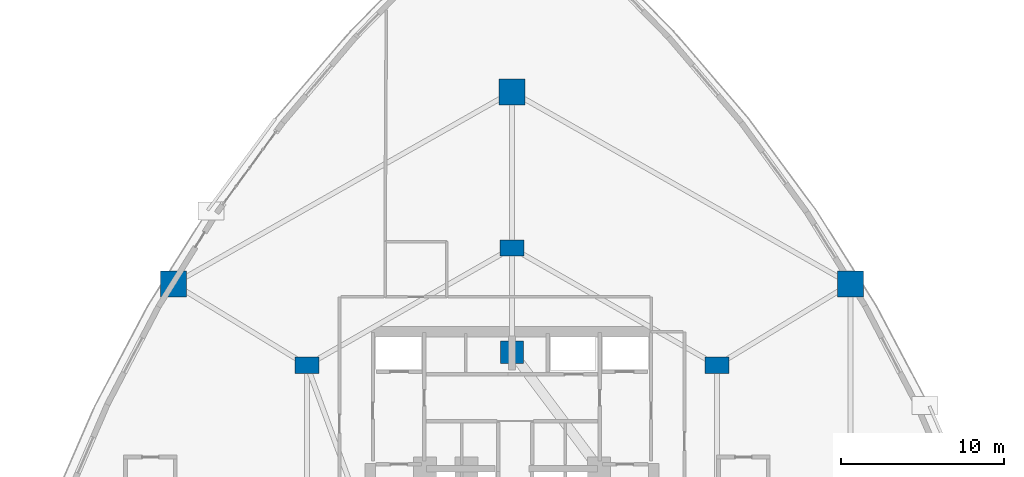
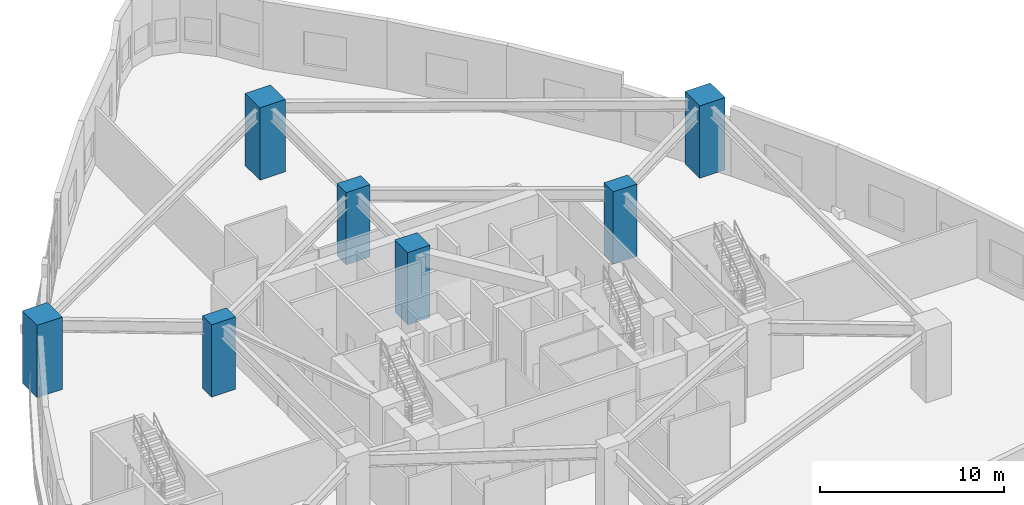
# One storey, part 3 of 23: 7 columns.
"""IFC4 building model written with IfcOpenShell, lengths in metres."""

from ifc_helpers import new_model, si_unit, direction, frame, origin, origin_2d, place, context, subcontext, project, spatial, rectangle, extrude, material, material_profile, profile_set, type_object, element, save


model = new_model("IFC4")

# Units and contexts
model_context = context("Model", 3, precision=1e-05, world=origin(), true_north=direction((0.0, 1.0)))
body_context = subcontext(model_context, "Body", "Model", "MODEL_VIEW")
ifc_project = project(units=[si_unit("LENGTHUNIT", "METRE"), si_unit("AREAUNIT", "SQUARE_METRE"), si_unit("VOLUMEUNIT", "CUBIC_METRE"), si_unit("PLANEANGLEUNIT", "RADIAN"), si_unit("MASSUNIT", "GRAM", prefix="KILO")], contexts=[model_context])

# Site, building, storey
site_placement = place(None, origin())
site = spatial("IfcSite", under=ifc_project, at=site_placement, CompositionType="ELEMENT")
building_placement = place(site_placement, origin())
building = spatial("IfcBuilding", under=site, at=building_placement, Name="Miruveldt Soraemaru", CompositionType="ELEMENT")
storey_placement = place(building_placement, frame((0.0, 0.0, 14.39990234375)))
storey = spatial("IfcBuildingStorey", under=building, at=storey_placement, Name="L04", CompositionType="ELEMENT", Elevation=14.39990234375)

# Columns
ifc_material = material(Name="Concrete C80/95 (80 MPa)", Category="concrete")
ifc_material_profile_1 = material_profile(ifc_material, rectangle(XDim=1.39990234375, YDim=1.39990234375, at=origin_2d()), Name="Concrete C80/95 (80 MPa)", Category="concrete")
ifc_profile_set_1 = profile_set([ifc_material_profile_1], Name="Concrete C80/95 (80 MPa)")
column_type_1 = type_object("IfcColumnType", Name="COL-MEGA-1400", PredefinedType="COLUMN", material=ifc_profile_set_1)
column_placement = place(storey_placement, frame((44.0, 51.199951171875, 0.0), z_axis=(0.0, 0.0, 1.0), x_axis=(1.0, 0.0, 0.0)))
element("IfcColumn", 1, at=column_placement, inside=storey, type_object=column_type_1, Name="L04 Structural Column CC6", PredefinedType="COLUMN", context=body_context, shape_type="SweptSolid", body=[
    extrude(rectangle(XDim=1.39990234375, YDim=1.39990234375, at=origin_2d()), origin(), (0.0, 0.0, 1.0), 4.800048828125),
])
ifc_material_profile_2 = material_profile(ifc_material, rectangle(XDim=1.60009765625, YDim=1.60009765625, at=origin_2d()), Name="Concrete C80/95 (80 MPa)", Category="concrete")
ifc_profile_set_2 = profile_set([ifc_material_profile_2], Name="Concrete C80/95 (80 MPa)")
column_type_2 = type_object("IfcColumnType", Name="COL-MEGA-1600", PredefinedType="COLUMN", material=ifc_profile_set_2)
for number, where, z_axis, x_axis, name in (
    (2, (44.0, 67.199951171875, 0.0), (0.0, 0.0, 1.0), (1.0, 0.0, 0.0), "L04 Structural Column PM01"),
    (3, (64.800048828125, 55.39990234375, 0.0), (0.0, 0.0, 1.0), (1.0, 0.0, 0.0), "L04 Structural Column PM02"),
    (4, (23.199951171875, 55.39990234375, 0.0), (0.0, 0.0, 1.0), (1.0, 0.0, 0.0), "L04 Structural Column PM06"),
):
    element("IfcColumn", number, at=place(storey_placement, frame(where, z_axis=z_axis, x_axis=x_axis)), inside=storey, type_object=column_type_2, Name=name, PredefinedType="COLUMN", context=body_context, shape_type="SweptSolid", body=[
        extrude(rectangle(XDim=1.60009765625, YDim=1.60009765625, at=origin_2d()), origin(), (0.0, 0.0, 1.0), 4.800048828125),
    ])
ifc_material_profile_3 = material_profile(ifc_material, rectangle(XDim=1.5, YDim=1.0, at=origin_2d()), Name="Concrete C80/95 (80 MPa)", Category="concrete")
ifc_profile_set_3 = profile_set([ifc_material_profile_3], Name="Concrete C80/95 (80 MPa)")
column_type_3 = type_object("IfcColumnType", Name="COL-TW-Z1A", PredefinedType="COLUMN", material=ifc_profile_set_3)
for number, where, z_axis, x_axis, name in (
    (5, (44.0, 57.60009765625, 0.0), (0.0, 0.0, 1.0), (1.0, 0.0, 0.0), "L04 Structural Column IR01"),
    (6, (56.60009765625, 50.39990234375, 0.0), (0.0, 0.0, 1.0), (1.0, 0.0, 0.0), "L04 Structural Column IR02"),
    (7, (31.39990234375, 50.39990234375, 0.0), (0.0, 0.0, 1.0), (1.0, 0.0, 0.0), "L04 Structural Column IR06"),
):
    element("IfcColumn", number, at=place(storey_placement, frame(where, z_axis=z_axis, x_axis=x_axis)), inside=storey, type_object=column_type_3, Name=name, PredefinedType="COLUMN", context=body_context, shape_type="SweptSolid", body=[
        extrude(rectangle(XDim=1.5, YDim=1.0, at=origin_2d()), origin(), (0.0, 0.0, 1.0), 4.800048828125),
    ])

save(model, "model.ifc")
